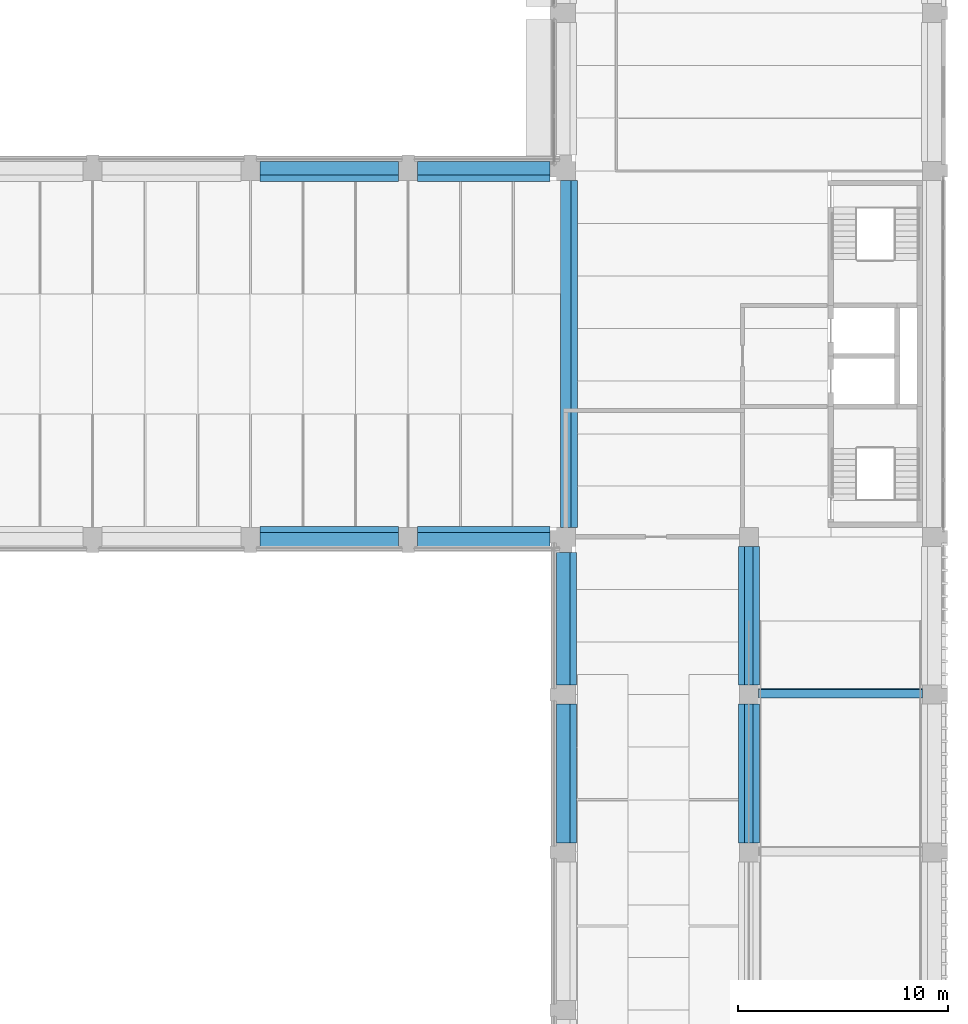
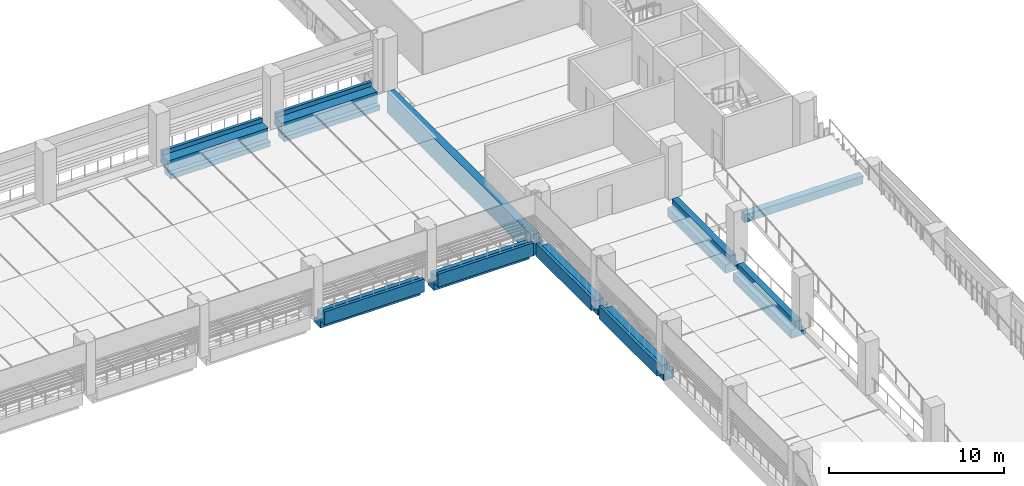
# One storey, part 15 of 57: 10 beams.
"""IFC4 building model written with IfcOpenShell, lengths in metres."""

from ifc_helpers import new_model, si_unit, direction, frame, origin, origin_2d, place, context, subcontext, project, spatial, polyline, rectangle, outline, extrude, material, material_profile, profile_set, type_object, element, save


model = new_model("IFC4")

# Units and contexts
model_context = context("Model", 3, precision=1e-05, world=origin(), true_north=direction((0.0, 1.0)))
body_context = subcontext(model_context, "Body", "Model", "MODEL_VIEW")
ifc_project = project(units=[si_unit("LENGTHUNIT", "METRE"), si_unit("AREAUNIT", "SQUARE_METRE"), si_unit("VOLUMEUNIT", "CUBIC_METRE"), si_unit("PLANEANGLEUNIT", "RADIAN"), si_unit("MASSUNIT", "GRAM", prefix="KILO")], contexts=[model_context])

# Site, building, storey
site_placement = place(None, origin())
site = spatial("IfcSite", under=ifc_project, at=site_placement, CompositionType="ELEMENT")
building_placement = place(site_placement, origin())
building = spatial("IfcBuilding", under=site, at=building_placement, Name="Cour d'Honneur Mobility Palace", CompositionType="ELEMENT")
storey_placement = place(building_placement, frame((0.0, 0.0, 8.199951171875)))
storey = spatial("IfcBuildingStorey", under=building, at=storey_placement, Name="L02", CompositionType="ELEMENT", Elevation=8.199951171875)

# Beams
ifc_material_1 = material(Name="Concrete C45", Category="concrete")
ifc_material_profile_1 = material_profile(ifc_material_1, outline(polyline([(0.5, -1.10009765625), (0.5, -0.5), (0.199951171875, -0.5), (0.199951171875, 0.0), (-0.199951171875, 0.0), (-0.199951171875, -0.800048828125), (-0.5, -0.800048828125), (-0.5, -1.10009765625), (0.5, -1.10009765625)])), Name="Inverted Tee Beam 400x1100 ledges 600/300 plain")
ifc_profile_set_1 = profile_set([ifc_material_profile_1], Name="Concrete C45")
beam_type_1 = type_object("IfcBeamType", Name="Inverted Tee Beam 400x1100 ledges 600/300 plain", PredefinedType="T_BEAM", material=ifc_profile_set_1)
for number, where, z_axis, x_axis, name in (
    (1, (153.60009765625, 30.449951171875, 0.0), (0.0, 1.0, 0.0), (-1.0, 0.0, 0.0), "Precast beam B19 E-F L02"),
    (2, (153.60009765625, 37.949951171875, 0.0), (0.0, 1.0, 0.0), (-1.0, 0.0, 0.0), "Precast beam B19 F-G L02"),
):
    element("IfcBeam", number, at=place(storey_placement, frame(where, z_axis=z_axis, x_axis=x_axis)), inside=storey, type_object=beam_type_1, Name=name, PredefinedType="T_BEAM", context=body_context, shape_type="SweptSolid", body=[
        extrude(outline(polyline([(0.5, -1.10009765625), (0.5, -0.5), (0.199951171875, -0.5), (0.199951171875, 0.0), (-0.199951171875, 0.0), (-0.199951171875, -0.800048828125), (-0.5, -0.800048828125), (-0.5, -1.10009765625), (0.5, -1.10009765625)])), origin(), (0.0, 0.0, 1.0), 6.60009765625),
    ])
ifc_material_2 = material(Name="Concrete C45", Category="concrete")
ifc_material_profile_2 = material_profile(ifc_material_2, outline(polyline([(0.5, -1.10009765625), (0.5, -0.75), (0.199951171875, -0.75), (0.199951171875, 0.0), (-0.199951171875, 0.0), (-0.449951171875, 0.0), (-0.449951171875, 0.300048828125), (-0.64990234375, 0.300048828125), (-0.64990234375, -0.60009765625), (-0.199951171875, -0.60009765625), (-0.199951171875, -1.10009765625), (0.5, -1.10009765625)])), Name="Ledger Beam 400x1100 ledge left 350 facade right")
ifc_profile_set_2 = profile_set([ifc_material_profile_2], Name="Concrete C45")
beam_type_2 = type_object("IfcBeamType", Name="Ledger Beam 400x1100 ledge left 350 facade right", PredefinedType="BEAM", material=ifc_profile_set_2)
beam_1_placement = place(storey_placement, frame((130.35009765625, 45.0, 0.0), z_axis=(1.0, 0.0, 0.0), x_axis=(0.0, 1.0, 0.0)))
element("IfcBeam", 3, at=beam_1_placement, inside=storey, type_object=beam_type_2, Name="Precast beam B2 17-18 L02", PredefinedType="BEAM", context=body_context, shape_type="SweptSolid", body=[
    extrude(outline(polyline([(0.5, -1.10009765625), (0.5, -0.75), (0.199951171875, -0.75), (0.199951171875, 0.0), (-0.199951171875, 0.0), (-0.449951171875, 0.0), (-0.449951171875, 0.300048828125), (-0.64990234375, 0.300048828125), (-0.64990234375, -0.60009765625), (-0.199951171875, -0.60009765625), (-0.199951171875, -1.10009765625), (0.5, -1.10009765625)])), origin(), (0.0, 0.0, 1.0), 6.599853515625),
])
beam_2_placement = place(storey_placement, frame((137.85009765625, 45.0, 0.0), z_axis=(1.0, 0.0, 0.0), x_axis=(0.0, 1.0, 0.0)))
element("IfcBeam", 4, at=beam_2_placement, inside=storey, type_object=beam_type_2, Name="Precast beam B2 18-19 L02", PredefinedType="BEAM", context=body_context, shape_type="SweptSolid", body=[
    extrude(outline(polyline([(0.5, -1.10009765625), (0.5, -0.75), (0.199951171875, -0.75), (0.199951171875, 0.0), (-0.199951171875, 0.0), (-0.449951171875, 0.0), (-0.449951171875, 0.300048828125), (-0.64990234375, 0.300048828125), (-0.64990234375, -0.60009765625), (-0.199951171875, -0.60009765625), (-0.199951171875, -1.10009765625), (0.5, -1.10009765625)])), origin(), (0.0, 0.0, 1.0), 6.2998046875),
])
ifc_material_3 = material(Name="Concrete C45", Category="concrete")
ifc_material_profile_3 = material_profile(ifc_material_3, outline(polyline([(0.199951171875, -1.10009765625), (0.199951171875, -0.60009765625), (0.64990234375, -0.60009765625), (0.64990234375, 0.300048828125), (0.449951171875, 0.300048828125), (0.449951171875, 0.0), (0.199951171875, 0.0), (-0.199951171875, 0.0), (-0.199951171875, -0.75), (-0.5, -0.75), (-0.5, -1.10009765625), (0.199951171875, -1.10009765625)])), Name="Ledger Beam 400x1100 ledge right 350 facade left")
ifc_profile_set_3 = profile_set([ifc_material_profile_3], Name="Concrete C45")
beam_type_3 = type_object("IfcBeamType", Name="Ledger Beam 400x1100 ledge right 350 facade left", PredefinedType="BEAM", material=ifc_profile_set_3)
beam_3_placement = place(storey_placement, frame((130.35009765625, 62.39990234375, 0.0), z_axis=(1.0, 0.0, 0.0), x_axis=(0.0, 1.0, 0.0)))
element("IfcBeam", 5, at=beam_3_placement, inside=storey, type_object=beam_type_3, Name="Precast beam B4 17-18 L02", PredefinedType="BEAM", context=body_context, shape_type="SweptSolid", body=[
    extrude(outline(polyline([(0.199951171875, -1.10009765625), (0.199951171875, -0.60009765625), (0.64990234375, -0.60009765625), (0.64990234375, 0.300048828125), (0.449951171875, 0.300048828125), (0.449951171875, 0.0), (0.199951171875, 0.0), (-0.199951171875, 0.0), (-0.199951171875, -0.75), (-0.5, -0.75), (-0.5, -1.10009765625), (0.199951171875, -1.10009765625)])), origin(), (0.0, 0.0, 1.0), 6.599853515625),
])
beam_4_placement = place(storey_placement, frame((137.85009765625, 62.39990234375, 0.0), z_axis=(1.0, 0.0, 0.0), x_axis=(0.0, 1.0, 0.0)))
element("IfcBeam", 6, at=beam_4_placement, inside=storey, type_object=beam_type_3, Name="Precast beam B4 18-19 L02", PredefinedType="BEAM", context=body_context, shape_type="SweptSolid", body=[
    extrude(outline(polyline([(0.199951171875, -1.10009765625), (0.199951171875, -0.60009765625), (0.64990234375, -0.60009765625), (0.64990234375, 0.300048828125), (0.449951171875, 0.300048828125), (0.449951171875, 0.0), (0.199951171875, 0.0), (-0.199951171875, 0.0), (-0.199951171875, -0.75), (-0.5, -0.75), (-0.5, -1.10009765625), (0.199951171875, -1.10009765625)])), origin(), (0.0, 0.0, 1.0), 6.2998046875),
])
ifc_material_4 = material(Name="Concrete C45", Category="concrete")
ifc_material_profile_4 = material_profile(ifc_material_4, outline(polyline([(0.199951171875, -1.10009765625), (0.199951171875, -0.60009765625), (0.64990234375, -0.60009765625), (0.64990234375, 0.300048828125), (0.449951171875, 0.300048828125), (0.449951171875, 0.0), (0.199951171875, 0.0), (-0.199951171875, 0.0), (-0.199951171875, -0.5), (-0.5, -0.5), (-0.5, -1.10009765625), (0.199951171875, -1.10009765625)])), Name="Ledger Beam 400x1100 ledge right 600 facade left")
ifc_profile_set_4 = profile_set([ifc_material_profile_4], Name="Concrete C45")
beam_type_4 = type_object("IfcBeamType", Name="Ledger Beam 400x1100 ledge right 600 facade left", PredefinedType="BEAM", material=ifc_profile_set_4)
beam_5_placement = place(storey_placement, frame((144.89990234375, 30.449951171875, 0.0), z_axis=(0.0, 1.0, 0.0), x_axis=(-1.0, 0.0, 0.0)))
element("IfcBeam", 7, at=beam_5_placement, inside=storey, type_object=beam_type_4, Name="Precast beam B15 E-F L02", PredefinedType="BEAM", context=body_context, shape_type="SweptSolid", body=[
    extrude(outline(polyline([(0.199951171875, -1.10009765625), (0.199951171875, -0.60009765625), (0.64990234375, -0.60009765625), (0.64990234375, 0.300048828125), (0.449951171875, 0.300048828125), (0.449951171875, 0.0), (0.199951171875, 0.0), (-0.199951171875, 0.0), (-0.199951171875, -0.5), (-0.5, -0.5), (-0.5, -1.10009765625), (0.199951171875, -1.10009765625)])), origin(), (0.0, 0.0, 1.0), 6.60009765625),
])
beam_6_placement = place(storey_placement, frame((144.89990234375, 37.949951171875, 0.0), z_axis=(0.0, 1.0, 0.0), x_axis=(-1.0, 0.0, 0.0)))
element("IfcBeam", 8, at=beam_6_placement, inside=storey, type_object=beam_type_4, Name="Precast beam B15 F-G L02", PredefinedType="BEAM", context=body_context, shape_type="SweptSolid", body=[
    extrude(outline(polyline([(0.199951171875, -1.10009765625), (0.199951171875, -0.60009765625), (0.64990234375, -0.60009765625), (0.64990234375, 0.300048828125), (0.449951171875, 0.300048828125), (0.449951171875, 0.0), (0.199951171875, 0.0), (-0.199951171875, 0.0), (-0.199951171875, -0.5), (-0.5, -0.5), (-0.5, -1.10009765625), (0.199951171875, -1.10009765625)])), origin(), (0.0, 0.0, 1.0), 6.300048828125),
])
ifc_material_5 = material(Name="Concrete C45", Category="concrete")
ifc_material_profile_5 = material_profile(ifc_material_5, outline(polyline([(0.25, -1.5), (0.25, 0.0), (-0.25, 0.0), (-0.25, -0.64990234375), (-0.550048828125, -0.64990234375), (-0.550048828125, -1.5), (0.25, -1.5)])), Name="Ledger Beam 500x1500 ledge right 850 plain")
ifc_profile_set_5 = profile_set([ifc_material_profile_5], Name="Concrete C45")
beam_type_5 = type_object("IfcBeamType", Name="Ledger Beam 500x1500 ledge right 850 plain", PredefinedType="BEAM", material=ifc_profile_set_5)
beam_7_placement = place(storey_placement, frame((144.89990234375, 45.449951171875, 0.0), z_axis=(0.0, 1.0, 0.0), x_axis=(-1.0, 0.0, 0.0)))
element("IfcBeam", 9, at=beam_7_placement, inside=storey, type_object=beam_type_5, Name="Precast beam B16 G-H L02", PredefinedType="BEAM", context=body_context, shape_type="SweptSolid", body=[
    extrude(outline(polyline([(0.25, -1.5), (0.25, 0.0), (-0.25, 0.0), (-0.25, -0.64990234375), (-0.550048828125, -0.64990234375), (-0.550048828125, -1.5), (0.25, -1.5)])), origin(), (0.0, 0.0, 1.0), 16.5),
])
ifc_material_6 = material(Name="Concrete C40", Category="concrete")
ifc_material_profile_6 = material_profile(ifc_material_6, rectangle(XDim=0.39990234375, YDim=0.60009765625, at=origin_2d()), Name="Ramp cross beam 400x600")
ifc_profile_set_6 = profile_set([ifc_material_profile_6], Name="Concrete C40")
beam_type_6 = type_object("IfcBeamType", Name="Ramp cross beam 400x600", PredefinedType="BEAM", material=ifc_profile_set_6)
beam_8_placement = place(storey_placement, frame((161.85009765625, 37.559814453125, 2.7529296875), z_axis=(-1.0, 0.0, 0.0), x_axis=(0.0, -0.995037190449, -0.099503716633)))
element("IfcBeam", 10, at=beam_8_placement, inside=storey, type_object=beam_type_6, Name="Ramp cross beam SE.R2-5", PredefinedType="BEAM", context=body_context, shape_type="SweptSolid", body=[
    extrude(rectangle(XDim=0.39990234375, YDim=0.60009765625, at=origin_2d()), origin(), (0.0, 0.0, 1.0), 7.800048828125),
])

save(model, "model.ifc")
